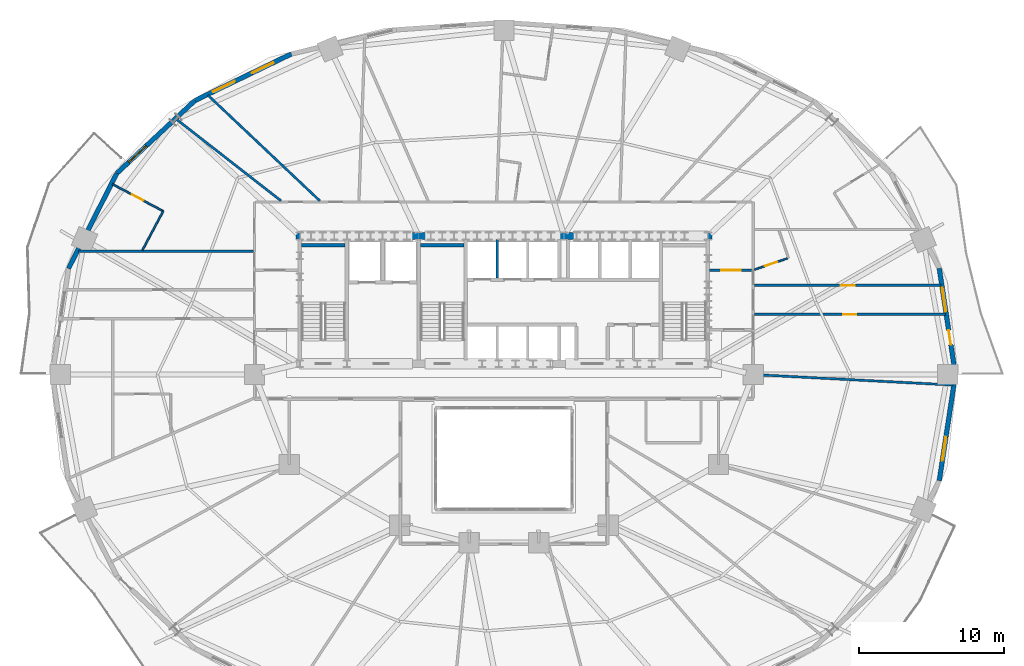
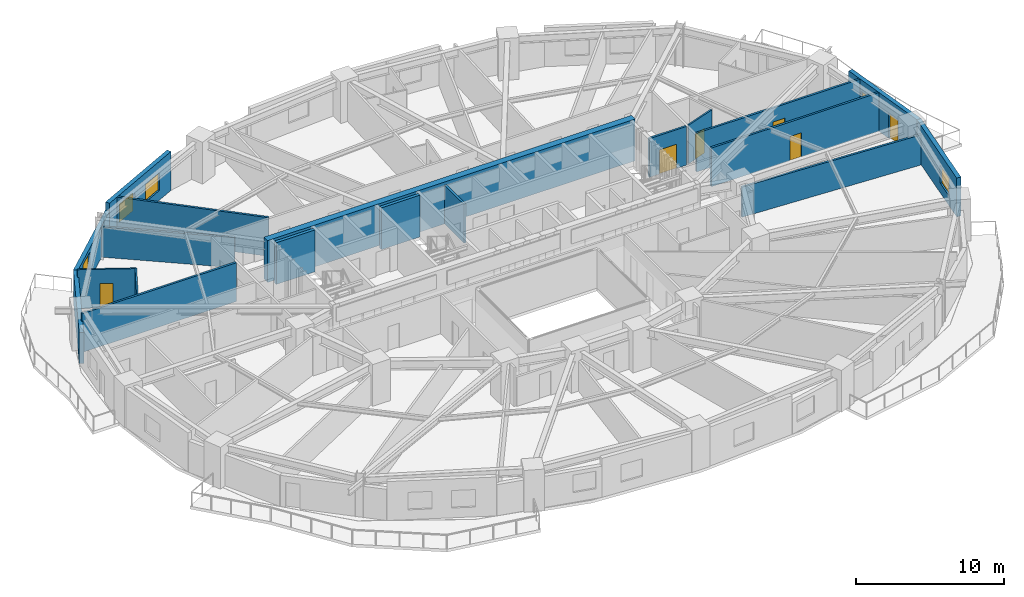
# One storey, part 12 of 18: 19 walls, 6 doors, 5 windows, 11 openings.
"""IFC4 building model written with IfcOpenShell, lengths in metres."""

from ifc_helpers import new_model, si_unit, direction, frame, frame_2d, origin, place, context, subcontext, project, spatial, rectangle, extrude, material, layer, layer_set, type_object, element, fill, save


model = new_model("IFC4")

# Units and contexts
model_context = context("Model", 3, precision=1e-05, world=origin(), true_north=direction((0.0, 1.0)))
body_context = subcontext(model_context, "Body", "Model", "MODEL_VIEW")
ifc_project = project(units=[si_unit("LENGTHUNIT", "METRE"), si_unit("AREAUNIT", "SQUARE_METRE"), si_unit("VOLUMEUNIT", "CUBIC_METRE"), si_unit("PLANEANGLEUNIT", "RADIAN"), si_unit("MASSUNIT", "GRAM", prefix="KILO")], contexts=[model_context])

# Site, building, storey
site_placement = place(None, origin())
site = spatial("IfcSite", under=ifc_project, at=site_placement, CompositionType="ELEMENT")
building_placement = place(site_placement, origin())
building = spatial("IfcBuilding", under=site, at=building_placement, Name="Haldorwick Loom Tower", CompositionType="ELEMENT")
storey_placement = place(building_placement, frame((0.0, 0.0, 48.14990234375)))
storey = spatial("IfcBuildingStorey", under=building, at=storey_placement, Name="L12", CompositionType="ELEMENT", Elevation=48.14990234375)

# Wall, openings, door, window
ifc_material_1 = material(Name="Pressed Clay Face Brick and Insulated Masonry Backup Assembly", Category="masonry")
ifc_layer_1 = layer(ifc_material_1, 0.320068359375, Name="Pressed Clay Face Brick and Insulated Masonry Backup Assembly", Category="masonry")
ifc_layer_set_1 = layer_set([ifc_layer_1], Name="Pressed Clay Face Brick and Insulated Masonry Backup Assembly")
wall_type_1 = type_object("IfcWallType", Name="ARC-WL-EXT320", PredefinedType="STANDARD", material=ifc_layer_set_1)
wall_1_placement = place(storey_placement, frame((67.135986328125, 26.0, 0.0), z_axis=(0.0, 0.0, 1.0), x_axis=(-0.150476322528, 0.988613613278, 0.0)))
wall_1 = element("IfcWall", 1, at=wall_1_placement, inside=storey, type_object=wall_type_1, Name="L12 Brick Pier and Spandrel Wall 1", PredefinedType="STANDARD", context=body_context, shape_type="SweptSolid", body=[
    extrude(rectangle(XDim=7.40478515625, YDim=0.320068359375, at=frame_2d((3.702392578125, 0.0))), origin(), (0.0, 0.0, 1.0), 3.210205078125),
])
opening_1_placement = place(wall_1_placement, frame((2.087646484375, 0.0, 0.0)))
opening_1 = element("IfcOpeningElement", 2, at=opening_1_placement, cuts=wall_1, Name="Opening D-BL10", PredefinedType="OPENING", context=body_context, shape_type="SweptSolid", body=[
    extrude(rectangle(XDim=1.0, YDim=2.0400390625, at=frame_2d((0.5, 1.02001953125))), frame((0.0, 0.169921875, 0.0), z_axis=(0.0, -1.0, 0.0), x_axis=(1.0, 0.0, 0.0)), (0.0, 0.0, 1.0), 0.340087890625),
])
opening_2_placement = place(wall_1_placement, frame((4.39990234375, 0.0, 0.800048828125)))
opening_2 = element("IfcOpeningElement", 3, at=opening_2_placement, cuts=wall_1, Name="Opening W-01B", PredefinedType="OPENING", context=body_context, shape_type="SweptSolid", body=[
    extrude(rectangle(XDim=1.64990234375, YDim=1.449951171875, at=frame_2d((0.824951171875, 0.72509765625))), frame((0.0, 0.169921875, 0.0), z_axis=(0.0, -1.0, 0.0), x_axis=(1.0, 0.0, 0.0)), (0.0, 0.0, 1.0), 0.340087890625),
])
ifc_material_2 = material(Name="Thermally Broken Anodized Aluminium Curtain Wall Framing", Category="aluminium")
door_type_1 = type_object("IfcDoorType", Name="ARC-DR-BAL100", OperationType="NOTDEFINED", PredefinedType="DOOR", material=ifc_material_2)
door_1_placement = place(opening_1_placement, origin())
door_1 = element("IfcDoor", 4, at=door_1_placement, inside=storey, type_object=door_type_1, Name="L12 Outdoor Terrace Door SLB-L12-BAL_ENE", OperationType="SINGLE_SWING_RIGHT", OverallHeight=2.0400390625, OverallWidth=1.0, PredefinedType="DOOR", context=body_context, shape_type="SweptSolid", body=[
    extrude(rectangle(XDim=1.0, YDim=2.0400390625, at=frame_2d((0.5, 1.02001953125))), frame((0.0, 0.02490234375, 0.0), z_axis=(0.0, -1.0, 0.0), x_axis=(1.0, 0.0, 0.0)), (0.0, 0.0, 1.0), 0.050048828125),
])
fill(opening_1, door_1)
ifc_material_3 = material(Name="Triple-Glazed Low-E Argon Insulated Glazing Unit", Category="glass")
window_type = type_object("IfcWindowType", Name="ARC-WIN-W165", PartitioningType="SINGLE_PANEL", PredefinedType="WINDOW", material=ifc_material_3)
window_1_placement = place(opening_2_placement, origin())
window_1 = element("IfcWindow", 5, at=window_1_placement, inside=storey, type_object=window_type, Name="L12 Deep-Set Zone 7A Window 1", OverallHeight=1.449951171875, OverallWidth=1.64990234375, PartitioningType="SINGLE_PANEL", PredefinedType="WINDOW", context=body_context, shape_type="SweptSolid", body=[
    extrude(rectangle(XDim=1.64990234375, YDim=1.449951171875, at=frame_2d((0.824951171875, 0.72509765625))), frame((0.0, 0.030029296875, 0.0), z_axis=(0.0, -1.0, 0.0), x_axis=(1.0, 0.0, 0.0)), (0.0, 0.0, 1.0), 0.06005859375),
])
fill(opening_2, window_1)

# Wall, openings, windows
wall_2_placement = place(storey_placement, frame((21.355224609375, 48.11572265625, 0.0), z_axis=(0.0, 0.0, 1.0), x_axis=(-0.900295710431, -0.435278800057, 0.0)))
wall_2 = element("IfcWall", 6, at=wall_2_placement, inside=storey, type_object=wall_type_1, Name="L12 Brick Pier and Spandrel Wall 9", PredefinedType="STANDARD", context=body_context, shape_type="SweptSolid", body=[
    extrude(rectangle(XDim=7.39697265625, YDim=0.320068359375, at=frame_2d((3.698486328125, 0.0))), origin(), (0.0, 0.0, 1.0), 3.210205078125),
])
opening_3_placement = place(wall_2_placement, frame((1.39404296875, 0.0, 0.800048828125)))
opening_3 = element("IfcOpeningElement", 7, at=opening_3_placement, cuts=wall_2, Name="Opening W-01B", PredefinedType="OPENING", context=body_context, shape_type="SweptSolid", body=[
    extrude(rectangle(XDim=1.64990234375, YDim=1.449951171875, at=frame_2d((0.824951171875, 0.72509765625))), frame((0.0, 0.169921875, 0.0), z_axis=(0.0, -1.0, 0.0), x_axis=(1.0, 0.0, 0.0)), (0.0, 0.0, 1.0), 0.340087890625),
])
opening_4_placement = place(wall_2_placement, frame((4.352783203125, 0.0, 0.800048828125)))
opening_4 = element("IfcOpeningElement", 8, at=opening_4_placement, cuts=wall_2, Name="Opening W-01B", PredefinedType="OPENING", context=body_context, shape_type="SweptSolid", body=[
    extrude(rectangle(XDim=1.64990234375, YDim=1.449951171875, at=frame_2d((0.824951171875, 0.72509765625))), frame((0.0, 0.169921875, 0.0), z_axis=(0.0, -1.0, 0.0), x_axis=(1.0, 0.0, 0.0)), (0.0, 0.0, 1.0), 0.340087890625),
])
window_2_placement = place(opening_3_placement, origin())
window_2 = element("IfcWindow", 9, at=window_2_placement, inside=storey, type_object=window_type, Name="L12 Deep-Set Zone 7A Window 9", OverallHeight=1.449951171875, OverallWidth=1.64990234375, PartitioningType="SINGLE_PANEL", PredefinedType="WINDOW", context=body_context, shape_type="SweptSolid", body=[
    extrude(rectangle(XDim=1.64990234375, YDim=1.449951171875, at=frame_2d((0.824951171875, 0.72509765625))), frame((0.0, 0.030029296875, 0.0), z_axis=(0.0, -1.0, 0.0), x_axis=(1.0, 0.0, 0.0)), (0.0, 0.0, 1.0), 0.06005859375),
])
fill(opening_3, window_2)
window_3_placement = place(opening_4_placement, origin())
window_3 = element("IfcWindow", 10, at=window_3_placement, inside=storey, type_object=window_type, Name="L12 Deep-Set Zone 7A Window 9", OverallHeight=1.449951171875, OverallWidth=1.64990234375, PartitioningType="SINGLE_PANEL", PredefinedType="WINDOW", context=body_context, shape_type="SweptSolid", body=[
    extrude(rectangle(XDim=1.64990234375, YDim=1.449951171875, at=frame_2d((0.824951171875, 0.72509765625))), frame((0.0, 0.030029296875, 0.0), z_axis=(0.0, -1.0, 0.0), x_axis=(1.0, 0.0, 0.0)), (0.0, 0.0, 1.0), 0.06005859375),
])
fill(opening_4, window_3)

# Wall, opening, window
wall_3_placement = place(storey_placement, frame((14.69580078125, 44.89599609375, 0.0), z_axis=(0.0, 0.0, 1.0), x_axis=(-0.73176101237, -0.681561311091, 0.0)))
wall_3 = element("IfcWall", 11, at=wall_3_placement, inside=storey, type_object=wall_type_1, Name="L12 Brick Pier and Spandrel Wall 10", PredefinedType="STANDARD", context=body_context, shape_type="SweptSolid", body=[
    extrude(rectangle(XDim=7.3583984375, YDim=0.320068359375, at=frame_2d((3.67919921875, 0.0))), origin(), (0.0, 0.0, 1.0), 2.569091796875),
])
opening_5_placement = place(wall_3_placement, frame((4.590087890625, 0.0, 0.800048828125)))
opening_5 = element("IfcOpeningElement", 12, at=opening_5_placement, cuts=wall_3, Name="Opening W-01B", PredefinedType="OPENING", context=body_context, shape_type="SweptSolid", body=[
    extrude(rectangle(XDim=1.64990234375, YDim=1.449951171875, at=frame_2d((0.824951171875, 0.72509765625))), frame((0.0, 0.169921875, 0.0), z_axis=(0.0, -1.0, 0.0), x_axis=(1.0, 0.0, 0.0)), (0.0, 0.0, 1.0), 0.340087890625),
])
window_4_placement = place(opening_5_placement, origin())
window_4 = element("IfcWindow", 13, at=window_4_placement, inside=storey, type_object=window_type, Name="L12 Deep-Set Zone 7A Window 10", OverallHeight=1.449951171875, OverallWidth=1.64990234375, PartitioningType="SINGLE_PANEL", PredefinedType="WINDOW", context=body_context, shape_type="SweptSolid", body=[
    extrude(rectangle(XDim=1.64990234375, YDim=1.449951171875, at=frame_2d((0.824951171875, 0.72509765625))), frame((0.0, 0.030029296875, 0.0), z_axis=(0.0, -1.0, 0.0), x_axis=(1.0, 0.0, 0.0)), (0.0, 0.0, 1.0), 0.06005859375),
])
fill(opening_5, window_4)

# Wall
wall_4_placement = place(storey_placement, frame((9.311279296875, 39.880859375, 0.0), z_axis=(0.0, 0.0, 1.0), x_axis=(-0.452950855928, -0.891535485617, 0.0)))
element("IfcWall", 14, at=wall_4_placement, inside=storey, type_object=wall_type_1, Name="L12 Brick Pier and Spandrel Wall 11", PredefinedType="STANDARD", context=body_context, shape_type="SweptSolid", body=[
    extrude(rectangle(XDim=7.3583984375, YDim=0.320068359375, at=frame_2d((3.67919921875, 0.0))), origin(), (0.0, 0.0, 1.0), 2.569091796875),
])

# Wall, opening, window
wall_5_placement = place(storey_placement, frame((66.021728515625, 18.679443359375, 0.0), z_axis=(0.0, 0.0, 1.0), x_axis=(0.150476322528, 0.988613613278, 0.0)))
wall_5 = element("IfcWall", 15, at=wall_5_placement, inside=storey, type_object=wall_type_1, Name="L12 Brick Pier and Spandrel Wall 24", PredefinedType="STANDARD", context=body_context, shape_type="SweptSolid", body=[
    extrude(rectangle(XDim=7.40478515625, YDim=0.320068359375, at=frame_2d((3.702392578125, 0.0))), origin(), (0.0, 0.0, 1.0), 3.210205078125),
])
opening_6_placement = place(wall_5_placement, frame((1.396484375, 0.0, 0.800048828125)))
opening_6 = element("IfcOpeningElement", 16, at=opening_6_placement, cuts=wall_5, Name="Opening W-01B", PredefinedType="OPENING", context=body_context, shape_type="SweptSolid", body=[
    extrude(rectangle(XDim=1.64990234375, YDim=1.449951171875, at=frame_2d((0.824951171875, 0.72509765625))), frame((0.0, 0.169921875, 0.0), z_axis=(0.0, -1.0, 0.0), x_axis=(1.0, 0.0, 0.0)), (0.0, 0.0, 1.0), 0.340087890625),
])
window_5_placement = place(opening_6_placement, origin())
window_5 = element("IfcWindow", 17, at=window_5_placement, inside=storey, type_object=window_type, Name="L12 Deep-Set Zone 7A Window 24", OverallHeight=1.449951171875, OverallWidth=1.64990234375, PartitioningType="SINGLE_PANEL", PredefinedType="WINDOW", context=body_context, shape_type="SweptSolid", body=[
    extrude(rectangle(XDim=1.64990234375, YDim=1.449951171875, at=frame_2d((0.824951171875, 0.72509765625))), frame((0.0, 0.030029296875, 0.0), z_axis=(0.0, -1.0, 0.0), x_axis=(1.0, 0.0, 0.0)), (0.0, 0.0, 1.0), 0.06005859375),
])
fill(opening_6, window_5)

# Wall, opening, door
ifc_material_4 = material(Name="Fire-Rated Type X Gypsum Stud Assembly EI 60")
ifc_layer_2 = layer(ifc_material_4, 0.159912109375, Name="Fire-Rated Type X Gypsum Stud Assembly EI 60")
ifc_layer_set_2 = layer_set([ifc_layer_2], Name="Fire-Rated Type X Gypsum Stud Assembly EI 60")
wall_type_2 = type_object("IfcWallType", Name="ARC-WL-FIRE160", PredefinedType="PARTITIONING", material=ifc_layer_set_2)
wall_6_placement = place(storey_placement, frame((50.193115234375, 33.199951171875, 0.0), z_axis=(0.0, 0.0, 1.0), x_axis=(1.0, 0.0, 0.0)))
wall_6 = element("IfcWall", 18, at=wall_6_placement, inside=storey, type_object=wall_type_2, Name="L12 Residential Fire Partition L12-CR-ENJ", PredefinedType="PARTITIONING", context=body_context, shape_type="SweptSolid", body=[
    extrude(rectangle(XDim=2.923828125, YDim=0.159912109375, at=frame_2d((1.4619140625, 0.0))), origin(), (0.0, 0.0, 1.0), 3.195068359375),
])
opening_7_placement = place(wall_6_placement, frame((0.787109375, 0.0, 0.0)))
opening_7 = element("IfcOpeningElement", 19, at=opening_7_placement, cuts=wall_6, Name="Opening D-CR15", PredefinedType="OPENING", context=body_context, shape_type="SweptSolid", body=[
    extrude(rectangle(XDim=1.35009765625, YDim=2.0, at=frame_2d((0.675048828125, 1.0))), frame((0.0, 0.08984375, 0.0), z_axis=(0.0, -1.0, 0.0), x_axis=(1.0, 0.0, 0.0)), (0.0, 0.0, 1.0), 0.179931640625),
])
ifc_material_5 = material(Name="Thermally Broken Anodized Aluminium and Tempered Glass", Category="aluminium")
door_type_2 = type_object("IfcDoorType", Name="ARC-DR-COR150", OperationType="NOTDEFINED", PredefinedType="DOOR", material=ifc_material_5)
door_2_placement = place(opening_7_placement, origin())
door_2 = element("IfcDoor", 20, at=door_2_placement, inside=storey, type_object=door_type_2, Name="L12 L12 North Residential Corridor to L12 East Residential Corridor Door", OperationType="DOUBLE_DOOR_SINGLE_SWING", OverallHeight=2.0, OverallWidth=1.35009765625, PredefinedType="DOOR", context=body_context, shape_type="SweptSolid", body=[
    extrude(rectangle(XDim=1.35009765625, YDim=2.0, at=frame_2d((0.675048828125, 1.0))), frame((0.0, 0.02490234375, 0.0), z_axis=(0.0, -1.0, 0.0), x_axis=(1.0, 0.0, 0.0)), (0.0, 0.0, 1.0), 0.050048828125),
])
fill(opening_7, door_2)

wall_7_placement = place(storey_placement, frame((53.282958984375, 30.14990234375, 0.0), z_axis=(0.0, 0.0, 1.0), x_axis=(1.0, 0.0, 0.0)))
wall_7 = element("IfcWall", 21, at=wall_7_placement, inside=storey, type_object=wall_type_2, Name="L12 Residential Fire Partition L12-CR-GE0", PredefinedType="PARTITIONING", context=body_context, shape_type="SweptSolid", body=[
    extrude(rectangle(XDim=13.15576171875, YDim=0.159912109375, at=frame_2d((6.577880859375, 0.0))), origin(), (0.0, 0.0, 1.0), 3.195068359375),
])
opening_8_placement = place(wall_7_placement, frame((6.127685546875, 0.0, 0.0)))
opening_8 = element("IfcOpeningElement", 22, at=opening_8_placement, cuts=wall_7, Name="Opening D-FD60A", PredefinedType="OPENING", context=body_context, shape_type="SweptSolid", body=[
    extrude(rectangle(XDim=0.89990234375, YDim=2.0, at=frame_2d((0.449951171875, 1.0))), frame((0.0, 0.08984375, 0.0), z_axis=(0.0, -1.0, 0.0), x_axis=(1.0, 0.0, 0.0)), (0.0, 0.0, 1.0), 0.179931640625),
])
ifc_material_6 = material(Name="Hollow Steel Fire Door Assembly", Category="steel")
door_type_3 = type_object("IfcDoorType", Name="ARC-DR-FD60-90", OperationType="NOTDEFINED", PredefinedType="DOOR", material=ifc_material_6)
door_3_placement = place(opening_8_placement, origin())
door_3 = element("IfcDoor", 23, at=door_3_placement, inside=storey, type_object=door_type_3, Name="L12 L12 East Daylight Corridor to Tenant Seminar Room 2 Door", OperationType="SINGLE_SWING_LEFT", OverallHeight=2.0, OverallWidth=0.89990234375, PredefinedType="DOOR", context=body_context, shape_type="SweptSolid", body=[
    extrude(rectangle(XDim=0.89990234375, YDim=2.0, at=frame_2d((0.449951171875, 1.0))), frame((0.0, 0.02490234375, 0.0), z_axis=(0.0, -1.0, 0.0), x_axis=(1.0, 0.0, 0.0)), (0.0, 0.0, 1.0), 0.050048828125),
])
fill(opening_8, door_3)

wall_8_placement = place(storey_placement, frame((53.282958984375, 32.14990234375, 0.0), z_axis=(0.0, 0.0, 1.0), x_axis=(1.0, 0.0, 0.0)))
wall_8 = element("IfcWall", 24, at=wall_8_placement, inside=storey, type_object=wall_type_2, Name="L12 Residential Fire Partition L12-CR-GE1", PredefinedType="PARTITIONING", context=body_context, shape_type="SweptSolid", body=[
    extrude(rectangle(XDim=12.851318359375, YDim=0.159912109375, at=frame_2d((6.42578125, 0.0))), origin(), (0.0, 0.0, 1.0), 3.195068359375),
])
opening_9_placement = place(wall_8_placement, frame((5.95068359375, 0.0, 0.0)))
opening_9 = element("IfcOpeningElement", 25, at=opening_9_placement, cuts=wall_8, Name="Opening D-FL95", PredefinedType="OPENING", context=body_context, shape_type="SweptSolid", body=[
    extrude(rectangle(XDim=0.949951171875, YDim=2.0400390625, at=frame_2d((0.47509765625, 1.02001953125))), frame((0.0, 0.08984375, 0.0), z_axis=(0.0, -1.0, 0.0), x_axis=(1.0, 0.0, 0.0)), (0.0, 0.0, 1.0), 0.179931640625),
])
ifc_material_7 = material(Name="Solid Core Birch Architectural Door")
door_type_4 = type_object("IfcDoorType", Name="ARC-DR-FLAT95", OperationType="NOTDEFINED", PredefinedType="DOOR", material=ifc_material_7)
door_4_placement = place(opening_9_placement, frame((0.949951171875, 0.0, 0.0), z_axis=(0.0, 0.0, 1.0), x_axis=(-1.0, 0.0, 0.0)))
door_4 = element("IfcDoor", 26, at=door_4_placement, inside=storey, type_object=door_type_4, Name="L12 Unit 12C Kitchen and Studio Living Room to L12 East Daylight Corrido", OperationType="SINGLE_SWING_LEFT", OverallHeight=2.0400390625, OverallWidth=0.949951171875, PredefinedType="DOOR", context=body_context, shape_type="SweptSolid", body=[
    extrude(rectangle(XDim=0.949951171875, YDim=2.0400390625, at=frame_2d((0.47509765625, 1.02001953125))), frame((0.0, 0.02490234375, 0.0), z_axis=(0.0, -1.0, 0.0), x_axis=(1.0, 0.0, 0.0)), (0.0, 0.0, 1.0), 0.050048828125),
])
fill(opening_9, door_4)

# Walls
wall_9_placement = place(storey_placement, frame((53.282958984375, 25.99560546875, 0.0), z_axis=(0.0, 0.0, 1.0), x_axis=(0.998629572969, -0.052335227072, 0.0)))
element("IfcWall", 27, at=wall_9_placement, inside=storey, type_object=wall_type_2, Name="L12 Residential Fire Partition L12-ICR-01", PredefinedType="PARTITIONING", context=body_context, shape_type="SweptSolid", body=[
    extrude(rectangle(XDim=13.6962890625, YDim=0.159912109375, at=frame_2d((6.84814453125, 0.0))), origin(), (0.0, 0.0, 1.0), 2.489990234375),
])
wall_10_placement = place(storey_placement, frame((6.650390625, 34.5, 0.0), z_axis=(0.0, 0.0, 1.0), x_axis=(1.0, 0.0, 0.0)))
element("IfcWall", 28, at=wall_10_placement, inside=storey, type_object=wall_type_2, Name="L12 Residential Fire Partition L12-FLW-17", PredefinedType="PARTITIONING", context=body_context, shape_type="SweptSolid", body=[
    extrude(rectangle(XDim=12.066650390625, YDim=0.159912109375, at=frame_2d((6.033203125, 0.0))), origin(), (0.0, 0.0, 1.0), 3.195068359375),
])
wall_11_placement = place(storey_placement, frame((20.629638671875, 37.98291015625, 0.0), z_axis=(0.0, 0.0, 1.0), x_axis=(-0.788647935365, 0.614845048808, 0.0)))
element("IfcWall", 29, at=wall_11_placement, inside=storey, type_object=wall_type_2, Name="L12 Suite Split Wall", PredefinedType="PARTITIONING", context=body_context, shape_type="SweptSolid", body=[
    extrude(rectangle(XDim=9.153076171875, YDim=0.159912109375, at=frame_2d((4.57666015625, 0.0))), origin(), (0.0, 0.0, 1.0), 2.489990234375),
])
wall_12_placement = place(storey_placement, frame((23.30419921875, 37.98291015625, 0.0), z_axis=(0.0, 0.0, 1.0), x_axis=(-0.72720729729, 0.686417909708, 0.0)))
element("IfcWall", 30, at=wall_12_placement, inside=storey, type_object=wall_type_2, Name="L12 Suite Split Wall", PredefinedType="PARTITIONING", context=body_context, shape_type="SweptSolid", body=[
    extrude(rectangle(XDim=10.60009765625, YDim=0.159912109375, at=frame_2d((5.300048828125, 0.0))), origin(), (0.0, 0.0, 1.0), 3.195068359375),
])

# Wall, opening, door
ifc_material_8 = material(Name="Acoustic Gypsum Stud Assembly STC 55")
ifc_layer_3 = layer(ifc_material_8, 0.1201171875, Name="Acoustic Gypsum Stud Assembly STC 55")
ifc_layer_set_3 = layer_set([ifc_layer_3], Name="Acoustic Gypsum Stud Assembly STC 55")
wall_type_3 = type_object("IfcWallType", Name="ARC-WL-PART120", PredefinedType="PARTITIONING", material=ifc_layer_set_3)
wall_13_placement = place(storey_placement, frame((53.282958984375, 33.23388671875, 0.0), z_axis=(0.0, 0.0, 1.0), x_axis=(0.94569244176, 0.325062771782, 0.0)))
wall_13 = element("IfcWall", 31, at=wall_13_placement, inside=storey, type_object=wall_type_3, Name="L12 Unit 12C Interior Partition", PredefinedType="PARTITIONING", context=body_context, shape_type="SweptSolid", body=[
    extrude(rectangle(XDim=2.40869140625, YDim=0.1201171875, at=frame_2d((1.204345703125, 0.0))), origin(), (0.0, 0.0, 1.0), 3.195068359375),
])
opening_10_placement = place(wall_13_placement, frame((0.764404296875, 0.0, 0.0)))
opening_10 = element("IfcOpeningElement", 32, at=opening_10_placement, cuts=wall_13, Name="Opening D-BT88", PredefinedType="OPENING", context=body_context, shape_type="SweptSolid", body=[
    extrude(rectangle(XDim=0.8798828125, YDim=2.02001953125, at=frame_2d((0.43994140625, 1.010009765625))), frame((0.0, 0.070068359375, 0.0), z_axis=(0.0, -1.0, 0.0), x_axis=(1.0, 0.0, 0.0)), (0.0, 0.0, 1.0), 0.14013671875),
])
door_type_5 = type_object("IfcDoorType", Name="ARC-DR-BATH88", OperationType="NOTDEFINED", PredefinedType="DOOR", material=ifc_material_7)
door_5_placement = place(opening_10_placement, origin())
door_5 = element("IfcDoor", 33, at=door_5_placement, inside=storey, type_object=door_type_5, Name="L12 Unit 12C Bathroom to Unit 12C Kitchen and Studio Living Room Door", OperationType="SINGLE_SWING_LEFT", OverallHeight=2.02001953125, OverallWidth=0.8798828125, PredefinedType="DOOR", context=body_context, shape_type="SweptSolid", body=[
    extrude(rectangle(XDim=0.8798828125, YDim=2.02001953125, at=frame_2d((0.43994140625, 1.010009765625))), frame((0.0, 0.02490234375, 0.0), z_axis=(0.0, -1.0, 0.0), x_axis=(1.0, 0.0, 0.0)), (0.0, 0.0, 1.0), 0.050048828125),
])
fill(opening_10, door_5)

# Wall
wall_14_placement = place(storey_placement, frame((12.503173828125, 37.26904296875, 0.0), z_axis=(0.0, 0.0, 1.0), x_axis=(-0.470604885421, -0.882344060907, 0.0)))
element("IfcWall", 34, at=wall_14_placement, inside=storey, type_object=wall_type_3, Name="L12 Unit 12D Interior Partition", PredefinedType="PARTITIONING", context=body_context, shape_type="SweptSolid", body=[
    extrude(rectangle(XDim=3.044189453125, YDim=0.1201171875, at=frame_2d((1.52197265625, 0.0))), origin(), (0.0, 0.0, 1.0), 3.195068359375),
])

# Wall, opening, door
wall_15_placement = place(storey_placement, frame((12.503173828125, 37.26904296875, 0.0), z_axis=(0.0, 0.0, 1.0), x_axis=(-0.882356350336, 0.470581843064, 0.0)))
wall_15 = element("IfcWall", 35, at=wall_15_placement, inside=storey, type_object=wall_type_3, Name="L12 Unit 12D Interior Partition", PredefinedType="PARTITIONING", context=body_context, shape_type="SweptSolid", body=[
    extrude(rectangle(XDim=3.964599609375, YDim=0.1201171875, at=frame_2d((1.982421875, 0.0))), origin(), (0.0, 0.0, 1.0), 3.195068359375),
])
opening_11_placement = place(wall_15_placement, frame((1.542236328125, 0.0, 0.0)))
opening_11 = element("IfcOpeningElement", 36, at=opening_11_placement, cuts=wall_15, Name="Opening D-BT88", PredefinedType="OPENING", context=body_context, shape_type="SweptSolid", body=[
    extrude(rectangle(XDim=0.8798828125, YDim=2.02001953125, at=frame_2d((0.43994140625, 1.010009765625))), frame((0.0, 0.070068359375, 0.0), z_axis=(0.0, -1.0, 0.0), x_axis=(1.0, 0.0, 0.0)), (0.0, 0.0, 1.0), 0.14013671875),
])
door_6_placement = place(opening_11_placement, origin())
door_6 = element("IfcDoor", 37, at=door_6_placement, inside=storey, type_object=door_type_5, Name="L12 Unit 12D Bathroom to Unit 12D Kitchen and Studio Living Room Door", OperationType="SINGLE_SWING_RIGHT", OverallHeight=2.02001953125, OverallWidth=0.8798828125, PredefinedType="DOOR", context=body_context, shape_type="SweptSolid", body=[
    extrude(rectangle(XDim=0.8798828125, YDim=2.02001953125, at=frame_2d((0.43994140625, 1.010009765625))), frame((0.0, 0.02490234375, 0.0), z_axis=(0.0, -1.0, 0.0), x_axis=(1.0, 0.0, 0.0)), (0.0, 0.0, 1.0), 0.050048828125),
])
fill(opening_11, door_6)

# Walls
ifc_material_9 = material(Name="Fire-Rated Type X Gypsum Stud Assembly EI 120")
ifc_layer_4 = layer(ifc_material_9, 0.1650390625, Name="Fire-Rated Type X Gypsum Stud Assembly EI 120")
ifc_layer_set_4 = layer_set([ifc_layer_4], Name="Fire-Rated Type X Gypsum Stud Assembly EI 120")
wall_type_4 = type_object("IfcWallType", Name="ARC-WL-SHAFT160", PredefinedType="MOVABLE", material=ifc_layer_set_4)
wall_16_placement = place(storey_placement, frame((35.550048828125, 32.673095703125, 0.0), z_axis=(0.0, 0.0, 1.0), x_axis=(0.0, 1.0, 0.0)))
element("IfcWall", 38, at=wall_16_placement, inside=storey, type_object=wall_type_4, Name="L12 Low-Rise Hoistway Divider 1", PredefinedType="MOVABLE", context=body_context, shape_type="SweptSolid", body=[
    extrude(rectangle(XDim=2.6240234375, YDim=0.159912109375, at=frame_2d((1.31201171875, 0.0))), origin(), (0.0, 0.0, 1.0), 3.195068359375),
])
ifc_material_10 = material(Name="Concrete C60 (60 MPa)", Category="concrete")
ifc_layer_5 = layer(ifc_material_10, 0.5, Name="Concrete C60 (60 MPa)", Category="concrete")
ifc_layer_set_5 = layer_set([ifc_layer_5], Name="Concrete C60 (60 MPa)")
wall_type_5 = type_object("IfcWallType", Name="STR-WL-CORE500", PredefinedType="SHEAR", material=ifc_layer_set_5)
wall_17_placement = place(storey_placement, frame((50.35009765625, 35.550048828125, 0.0), z_axis=(0.0, 0.0, 1.0), x_axis=(-1.0, 0.0, 0.0)))
element("IfcWall", 39, at=wall_17_placement, inside=storey, type_object=wall_type_5, Name="L12 Core Shear Wall N", PredefinedType="SHEAR", context=body_context, shape_type="SweptSolid", body=[
    extrude(rectangle(XDim=28.7001953125, YDim=0.5, at=frame_2d((14.35009765625, 0.0))), origin(), (0.0, 0.0, 1.0), 3.4501953125),
])
ifc_material_11 = material(Name="Concrete C50 (50 MPa)", Category="concrete")
ifc_layer_6 = layer(ifc_material_11, 0.239990234375, Name="Concrete C50 (50 MPa)", Category="concrete")
ifc_layer_set_6 = layer_set([ifc_layer_6], Name="Concrete C50 (50 MPa)")
wall_type_6 = type_object("IfcWallType", Name="STR-WL-SHAFT240", PredefinedType="SHEAR", material=ifc_layer_set_6)
for number, where, z_axis, x_axis, name in (
    (40, (22.052978515625, 34.919921875, 0.0), (0.0, 0.0, 1.0), (1.0, 0.0, 0.0), "L12 Core Shear Wall 1N"),
    (41, (30.2529296875, 34.919921875, 0.0), (0.0, 0.0, 1.0), (1.0, 0.0, 0.0), "L12 Core Shear Wall 3N"),
):
    element("IfcWall", number, at=place(storey_placement, frame(where, z_axis=z_axis, x_axis=x_axis)), inside=storey, type_object=wall_type_6, Name=name, PredefinedType="SHEAR", context=body_context, shape_type="SweptSolid", body=[
        extrude(rectangle(XDim=2.994140625, YDim=0.239990234375, at=frame_2d((1.4970703125, 0.0))), origin(), (0.0, 0.0, 1.0), 3.4501953125),
    ])

save(model, "model.ifc")
